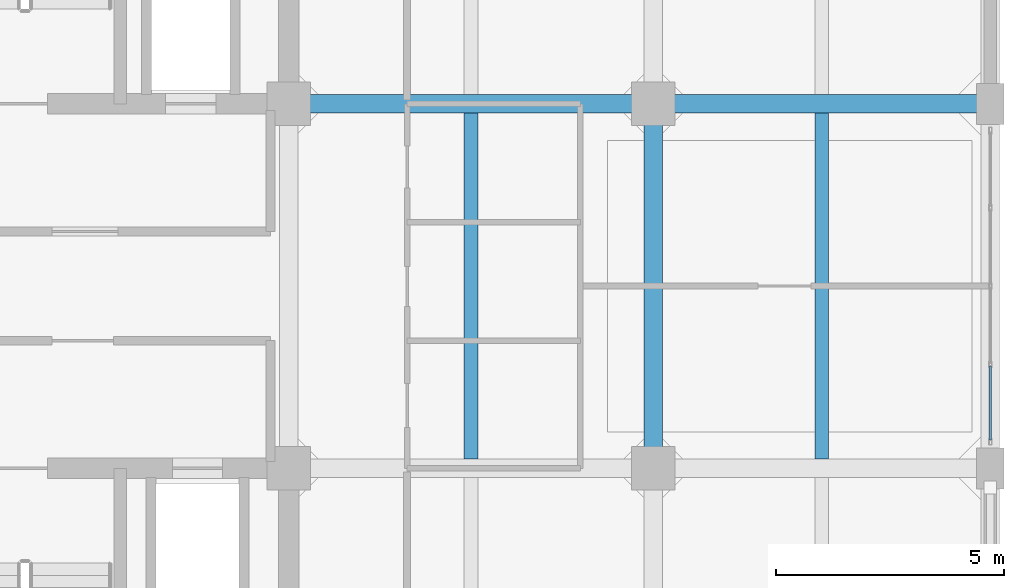
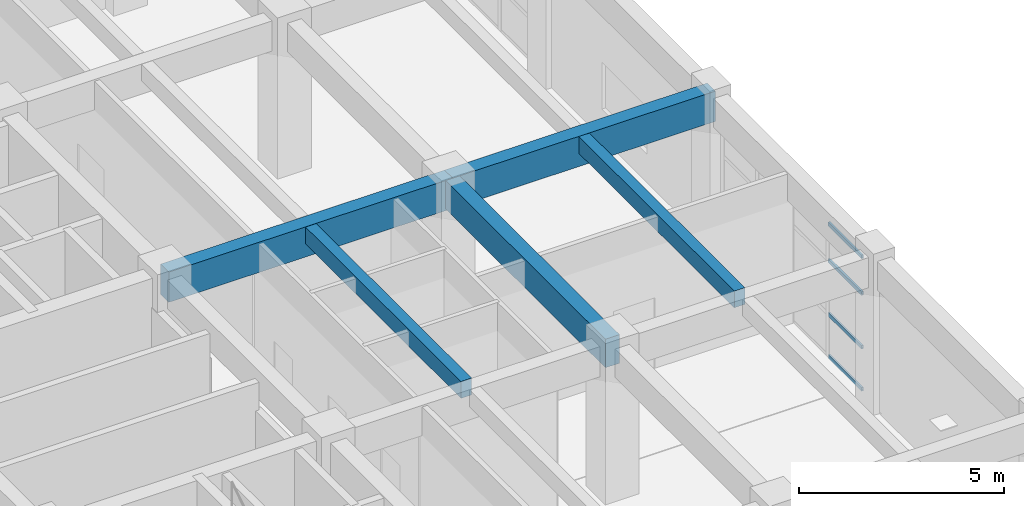
# One storey, part 33 of 63: 5 beams, 4 members, 1 element without a shape of its own.
"""IFC4 building model written with IfcOpenShell, lengths in metres."""

import ifcopenshell
import ifcopenshell.guid

model = None  # the IFC model being written
_history = None  # IfcOwnerHistory: only IFC2X3 demands one
_inside = {}  # id of a spatial element -> (the spatial element, [elements in it])
_under = {}  # id of a project, library or spatial element -> (it, [spatial elements below it])
_declared = {}  # id of a project -> (the project, [libraries it declares])
_typed = {}  # id of a type object -> (the type object, [elements of that type])
_made_of = {}  # id of a material, layer set ... -> (it, [elements and type objects made of it])


def new_model(schema):
    """Start an empty IFC model of exactly this schema.

    Asked for "IFC4X3", IfcOpenShell would pick the latest addendum, in which some entities
    have other attributes; the version numbers below select the first issue.
    IFC2X3 requires an IfcOwnerHistory on every rooted entity: one is made here for all.
    """
    global model, _history
    if schema == "IFC4X3":
        model = ifcopenshell.file(schema_version=(4, 3, 0, 0))
    else:
        model = ifcopenshell.file(schema=schema)
    _inside.clear()
    _under.clear()
    _declared.clear()
    _typed.clear()
    _made_of.clear()
    _history = None
    if model.schema == "IFC2X3":
        org = make("IfcOrganization", Name="unknown")
        user = make(
            "IfcPersonAndOrganization",
            ThePerson=make("IfcPerson", FamilyName="unknown"),
            TheOrganization=org,
        )
        app = make(
            "IfcApplication",
            ApplicationDeveloper=org,
            Version="unknown",
            ApplicationFullName="unknown",
            ApplicationIdentifier="unknown",
        )
        _history = make(
            "IfcOwnerHistory",
            OwningUser=user,
            OwningApplication=app,
            ChangeAction="ADDED",
            CreationDate=0,
        )
    return model


def make(cls, **values):
    """One entity of the class cls with the attributes given. An attribute that is None is left unset."""
    return model.create_entity(
        cls, **{name: value for name, value in values.items() if value is not None}
    )


def rooted(cls, **values):
    """An entity with a GlobalId (a new one), such as an element, a storey or a relation."""
    return make(cls, GlobalId=ifcopenshell.guid.new(), OwnerHistory=_history, **values)


def si_unit(unit_type, name, prefix=None):
    """IfcSIUnit, for example si_unit("LENGTHUNIT", "METRE", prefix="MILLI")."""
    return make("IfcSIUnit", UnitType=unit_type, Prefix=prefix, Name=name)


def assignment(units):
    """IfcUnitAssignment: the units of a project."""
    return None if units is None else make("IfcUnitAssignment", Units=units)


def point(xyz):
    """IfcCartesianPoint."""
    return None if xyz is None else make("IfcCartesianPoint", Coordinates=xyz)


def direction(xyz):
    """IfcDirection."""
    return None if xyz is None else make("IfcDirection", DirectionRatios=xyz)


def frame(location, z_axis=None, x_axis=None):
    """IfcAxis2Placement3D, a coordinate frame: its origin and axes. An axis left out is left unset."""
    return make(
        "IfcAxis2Placement3D",
        Location=point(location),
        Axis=direction(z_axis),
        RefDirection=direction(x_axis),
    )


def frame_2d(location, x_axis=None):
    """IfcAxis2Placement2D, a coordinate frame in the plane: its origin and x axis."""
    return make(
        "IfcAxis2Placement2D", Location=point(location), RefDirection=direction(x_axis)
    )


def origin():
    """The frame at (0, 0, 0) with its axes left unset."""
    return frame((0.0, 0.0, 0.0))


def origin_2d():
    """The frame at (0, 0) in the plane with its x axis left unset."""
    return frame_2d((0.0, 0.0))


def place(relative_to, where):
    """IfcLocalPlacement: puts the frame where relative to a parent placement (None: the world)."""
    return make(
        "IfcLocalPlacement", PlacementRelTo=relative_to, RelativePlacement=where
    )


def context(
    kind, dimensions, precision=None, world=None, true_north=None, identifier=None
):
    """IfcGeometricRepresentationContext, for example the 3D "Model" context."""
    return make(
        "IfcGeometricRepresentationContext",
        ContextIdentifier=identifier,
        ContextType=kind,
        CoordinateSpaceDimension=dimensions,
        Precision=precision,
        WorldCoordinateSystem=world,
        TrueNorth=true_north,
    )


def subcontext(parent, identifier, kind, view, scale=None):
    """IfcGeometricRepresentationSubContext, for example "Body" below "Model"."""
    return make(
        "IfcGeometricRepresentationSubContext",
        ContextIdentifier=identifier,
        ContextType=kind,
        ParentContext=parent,
        TargetScale=scale,
        TargetView=view,
    )


def project(units=None, contexts=None):
    """IfcProject with its units and contexts."""
    return rooted(
        "IfcProject",
        Name="project",
        RepresentationContexts=contexts,
        UnitsInContext=assignment(units),
    )


def spatial(cls, under=None, at=None, **own):
    """A site, building, storey or space (cls), placed at a placement, below another one or the project."""
    s = rooted(cls, ObjectPlacement=at, **own)
    if under is not None:
        _under.setdefault(under.id(), (under, []))[1].append(s)
    return s


def profile(cls, at=None, kind="AREA", **sizes):
    """A parametric profile (cls). Its sizes go by their IFC names, for example OverallWidth=200.0."""
    return make(cls, ProfileType=kind, Position=at, **sizes)


def rectangle(**sizes):
    """IfcRectangleProfileDef."""
    return profile("IfcRectangleProfileDef", **sizes)


def hollow_rectangle(**sizes):
    """IfcRectangleHollowProfileDef."""
    return profile("IfcRectangleHollowProfileDef", **sizes)


def extrude(swept, where, along, depth):
    """IfcExtrudedAreaSolid: the profile swept, set in the frame where, extruded along a direction by depth."""
    return make(
        "IfcExtrudedAreaSolid",
        SweptArea=swept,
        Position=where,
        ExtrudedDirection=direction(along),
        Depth=depth,
    )


def shape(context_of_items, identifier, shape_type, items):
    """IfcShapeRepresentation: the items that make up one representation, for example the "Body"."""
    return make(
        "IfcShapeRepresentation",
        ContextOfItems=context_of_items,
        RepresentationIdentifier=identifier,
        RepresentationType=shape_type,
        Items=items,
    )


def material(Name=None, Category=None):
    """IfcMaterial."""
    return make("IfcMaterial", Name=Name, Category=Category)


def layer(
    of_material, thickness, ventilated=None, Name=None, Category=None, Priority=None
):
    """IfcMaterialLayer: one layer of a wall or slab, of a material (None: an air gap)."""
    return make(
        "IfcMaterialLayer",
        Material=of_material,
        LayerThickness=thickness,
        IsVentilated=ventilated,
        Name=Name,
        Category=Category,
        Priority=Priority,
    )


def layer_set(layers, Name=None):
    """IfcMaterialLayerSet."""
    return make("IfcMaterialLayerSet", MaterialLayers=layers, LayerSetName=Name)


def material_profile(
    of_material, cross_section, Name=None, Category=None, Priority=None
):
    """IfcMaterialProfile: a cross section and its material."""
    return make(
        "IfcMaterialProfile",
        Name=Name,
        Material=of_material,
        Profile=cross_section,
        Priority=Priority,
        Category=Category,
    )


def profile_set(profiles, Name=None, composite=None):
    """IfcMaterialProfileSet."""
    return make(
        "IfcMaterialProfileSet",
        Name=Name,
        MaterialProfiles=profiles,
        CompositeProfile=composite,
    )


def made_of(thing, what):
    """Note that an element or type object is made of a material, layer set ...; save() writes the relation."""
    if what is not None:
        _made_of.setdefault(what.id(), (what, []))[1].append(thing)
    return thing


def type_object(cls, material=None, **own):
    """A type object (cls), such as IfcWallType, which elements share."""
    return made_of(rooted(cls, **own), material)


def element(
    cls,
    number,
    at=None,
    inside=None,
    cuts=None,
    type_object=None,
    material=None,
    context=None,
    identifier="Body",
    shape_type=None,
    held_by="IfcProductDefinitionShape",
    body=None,
    shapes=None,
    **own,
):
    """One element of the class cls, such as IfcWall. Its Tag is "e" and its number.

    at: its placement. inside: the storey or other place that contains it. cuts: it is an
    opening in that element (IfcRelVoidsElement). A single representation is given by context,
    identifier, shape_type and body (its items); several are given by shapes. held_by: the class
    of the entity that holds the representations. save() writes the other relations.
    """
    e = rooted(cls, Tag="e%d" % number, ObjectPlacement=at, **own)
    if body is not None:
        shapes = [shape(context, identifier, shape_type, body)]
    if shapes is not None:
        e.Representation = make(held_by, Representations=shapes)
    if inside is not None:
        _inside.setdefault(inside.id(), (inside, []))[1].append(e)
    if cuts is not None:
        rooted(
            "IfcRelVoidsElement", RelatingBuildingElement=cuts, RelatedOpeningElement=e
        )
    if type_object is not None:
        _typed.setdefault(type_object.id(), (type_object, []))[1].append(e)
    return made_of(e, material)


def aggregate(whole, parts):
    """IfcRelAggregates: a whole, such as a stair, and the parts it consists of."""
    return rooted("IfcRelAggregates", RelatingObject=whole, RelatedObjects=parts)


def save(model, path):
    """Write the relations noted so far, then the file.

    IfcRelAggregates (storeys below a building ...), IfcRelContainedInSpatialStructure (elements
    in a storey), IfcRelDefinesByType, IfcRelAssociatesMaterial and IfcRelDeclares: one each for
    every whole, place, type object, material and project.
    """
    for whole, parts in _under.values():
        aggregate(whole, parts)
    for where, things in _inside.values():
        rooted(
            "IfcRelContainedInSpatialStructure",
            RelatedElements=things,
            RelatingStructure=where,
        )
    for kind, things in _typed.values():
        rooted("IfcRelDefinesByType", RelatedObjects=things, RelatingType=kind)
    for what, things in _made_of.values():
        rooted("IfcRelAssociatesMaterial", RelatedObjects=things, RelatingMaterial=what)
    for by, libraries in _declared.values():
        rooted("IfcRelDeclares", RelatingContext=by, RelatedDefinitions=libraries)
    model.write(path)


model = new_model("IFC4")

# Units and contexts
model_context = context("Model", 3, precision=1e-05, world=origin(), true_north=direction((0.0, 1.0)))
body_context = subcontext(model_context, "Body", "Model", "MODEL_VIEW")
ifc_project = project(units=[si_unit("LENGTHUNIT", "METRE"), si_unit("AREAUNIT", "SQUARE_METRE"), si_unit("VOLUMEUNIT", "CUBIC_METRE"), si_unit("PLANEANGLEUNIT", "RADIAN"), si_unit("MASSUNIT", "GRAM", prefix="KILO")], contexts=[model_context])

# Site, building, storey
site_placement = place(None, origin())
site = spatial("IfcSite", under=ifc_project, at=site_placement, CompositionType="ELEMENT")
building_placement = place(site_placement, origin())
building = spatial("IfcBuilding", under=site, at=building_placement, Name="Canggui Botanical Conservatory", CompositionType="ELEMENT")
storey_placement = place(building_placement, frame((0.0, 0.0, 10.199951171875)))
storey = spatial("IfcBuildingStorey", under=building, at=storey_placement, Name="L03", CompositionType="ELEMENT", Elevation=10.199951171875)

# Beams
ifc_material_1 = material(Name="Concrete C35", Category="concrete")
ifc_material_profile_1 = material_profile(ifc_material_1, rectangle(XDim=0.300048828125, YDim=0.5, at=origin_2d()), Name="RB 300x500")
ifc_profile_set_1 = profile_set([ifc_material_profile_1], Name="Concrete C35")
beam_type_1 = type_object("IfcBeamType", Name="BM-JST02", PredefinedType="JOIST", material=ifc_profile_set_1)
for number, where, z_axis, x_axis, name in (
    (1, (166.0, 50.205078125, 4.300048828125), (0.0, 1.0, 0.0), (-1.0, 0.0, 0.0), "Secondary Floor Joist L03-4-4"),
    (2, (173.699951171875, 50.205078125, 4.300048828125), (0.0, 1.0, 0.0), (-1.0, 0.0, 0.0), "Secondary Floor Joist L03-5-4"),
):
    element("IfcBeam", number, at=place(storey_placement, frame(where, z_axis=z_axis, x_axis=x_axis)), inside=storey, type_object=beam_type_1, Name=name, PredefinedType="JOIST", context=body_context, shape_type="SweptSolid", body=[
        extrude(rectangle(XDim=0.300048828125, YDim=0.5, at=origin_2d()), origin(), (0.0, 0.0, 1.0), 7.58984375),
    ])
ifc_material_profile_2 = material_profile(ifc_material_1, rectangle(XDim=0.39990234375, YDim=0.89990234375, at=origin_2d()), Name="RB 400x900")
ifc_profile_set_2 = profile_set([ifc_material_profile_2], Name="Concrete C35")
beam_type_2 = type_object("IfcBeamType", Name="BM-KL07", PredefinedType="BEAM", material=ifc_profile_set_2)
beam_1_placement = place(storey_placement, frame((162.0, 58.0, 4.10009765625), z_axis=(1.0, 0.0, 0.0), x_axis=(0.0, 1.0, 0.0)))
element("IfcBeam", 3, at=beam_1_placement, inside=storey, type_object=beam_type_2, Name="Frame Girder L03 Y58-4", PredefinedType="BEAM", context=body_context, shape_type="SweptSolid", body=[
    extrude(rectangle(XDim=0.39990234375, YDim=0.89990234375, at=origin_2d()), origin(), (0.0, 0.0, 1.0), 8.0),
])
beam_2_placement = place(storey_placement, frame((170.0, 58.0, 4.10009765625), z_axis=(1.0, 0.0, 0.0), x_axis=(0.0, 1.0, 0.0)))
element("IfcBeam", 4, at=beam_2_placement, inside=storey, type_object=beam_type_2, Name="Frame Girder L03 Y58-5", PredefinedType="BEAM", context=body_context, shape_type="SweptSolid", body=[
    extrude(rectangle(XDim=0.39990234375, YDim=0.89990234375, at=origin_2d()), origin(), (0.0, 0.0, 1.0), 7.39990234375),
])
ifc_material_profile_3 = material_profile(ifc_material_1, rectangle(XDim=0.39990234375, YDim=0.85009765625, at=origin_2d()), Name="RB 400x850")
ifc_profile_set_3 = profile_set([ifc_material_profile_3], Name="Concrete C35")
beam_type_3 = type_object("IfcBeamType", Name="BM-KL08", PredefinedType="BEAM", material=ifc_profile_set_3)
beam_3_placement = place(storey_placement, frame((170.0, 50.0, 4.125), z_axis=(0.0, 1.0, 0.0), x_axis=(-1.0, 0.0, 0.0)))
element("IfcBeam", 5, at=beam_3_placement, inside=storey, type_object=beam_type_3, Name="Frame Girder L03 X170-4", PredefinedType="BEAM", context=body_context, shape_type="SweptSolid", body=[
    extrude(rectangle(XDim=0.39990234375, YDim=0.85009765625, at=origin_2d()), origin(), (0.0, 0.0, 1.0), 8.0),
])

# Curtain wall, members
ifc_material_2 = material(Name="Thermally Broken Aluminium", Category="aluminium")
ifc_layer = layer(ifc_material_2, 0.14990234375, Name="Thermally Broken Aluminium", Category="aluminium")
ifc_layer_set = layer_set([ifc_layer], Name="Thermally Broken Aluminium")
curtain_wall_type = type_object("IfcCurtainWallType", Name="CW-UNIT-C", PredefinedType="USERDEFINED", material=ifc_layer_set)
curtain_wall_placement = place(storey_placement, origin())
curtain_wall = element("IfcCurtainWall", 6, at=curtain_wall_placement, inside=storey, type_object=curtain_wall_type, Name="Facade Curtain Wall CW-TWR-L03-23", ObjectType="UNITISED CURTAIN WALL", PredefinedType="USERDEFINED")
ifc_material_profile_4 = material_profile(ifc_material_2, hollow_rectangle(XDim=0.054931640625, YDim=0.110107421875, WallThickness=0.0029296875, at=origin_2d()), Name="CWT 55x110x3")
ifc_profile_set_4 = profile_set([ifc_material_profile_4], Name="Thermally Broken Aluminium")
member_type = type_object("IfcMemberType", Name="CWT-03", PredefinedType="USERDEFINED", material=ifc_profile_set_4)
member_1_placement = place(storey_placement, frame((177.39990234375, 52.25, 0.027587890625), z_axis=(0.0, -1.0, 0.0), x_axis=(1.0, 0.0, 0.0)))
member_1 = element("IfcMember", 7, at=member_1_placement, type_object=member_type, Name="CW-03 transom 4.1", ObjectType="TRANSOM", PredefinedType="USERDEFINED", context=body_context, shape_type="SweptSolid", body=[
    extrude(hollow_rectangle(XDim=0.054931640625, YDim=0.110107421875, WallThickness=0.0029296875, at=origin_2d()), origin(), (0.0, 0.0, 1.0), 1.6298828125),
])
member_2_placement = place(storey_placement, frame((177.39990234375, 52.25, 1.280029296875), z_axis=(0.0, -1.0, 0.0), x_axis=(1.0, 0.0, 0.0)))
member_2 = element("IfcMember", 8, at=member_2_placement, type_object=member_type, Name="CW-03 transom 4.2", ObjectType="TRANSOM", PredefinedType="USERDEFINED", context=body_context, shape_type="SweptSolid", body=[
    extrude(hollow_rectangle(XDim=0.054931640625, YDim=0.110107421875, WallThickness=0.0029296875, at=origin_2d()), origin(), (0.0, 0.0, 1.0), 1.6298828125),
])
member_3_placement = place(storey_placement, frame((177.39990234375, 52.25, 2.880126953125), z_axis=(0.0, -1.0, 0.0), x_axis=(1.0, 0.0, 0.0)))
member_3 = element("IfcMember", 9, at=member_3_placement, type_object=member_type, Name="CW-03 transom 4.3", ObjectType="TRANSOM", PredefinedType="USERDEFINED", context=body_context, shape_type="SweptSolid", body=[
    extrude(hollow_rectangle(XDim=0.054931640625, YDim=0.110107421875, WallThickness=0.0029296875, at=origin_2d()), origin(), (0.0, 0.0, 1.0), 1.6298828125),
])
member_4_placement = place(storey_placement, frame((177.39990234375, 52.25, 3.97265625), z_axis=(0.0, -1.0, 0.0), x_axis=(1.0, 0.0, 0.0)))
member_4 = element("IfcMember", 10, at=member_4_placement, type_object=member_type, Name="CW-03 transom 4.4", ObjectType="TRANSOM", PredefinedType="USERDEFINED", context=body_context, shape_type="SweptSolid", body=[
    extrude(hollow_rectangle(XDim=0.054931640625, YDim=0.110107421875, WallThickness=0.0029296875, at=origin_2d()), origin(), (0.0, 0.0, 1.0), 1.6298828125),
])
aggregate(curtain_wall, [member_1, member_2, member_3, member_4])

save(model, "model.ifc")
